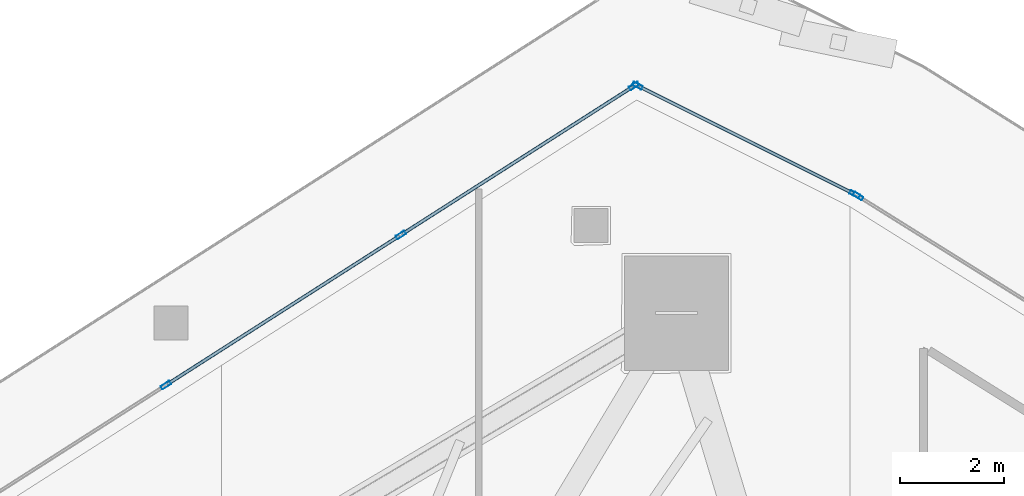
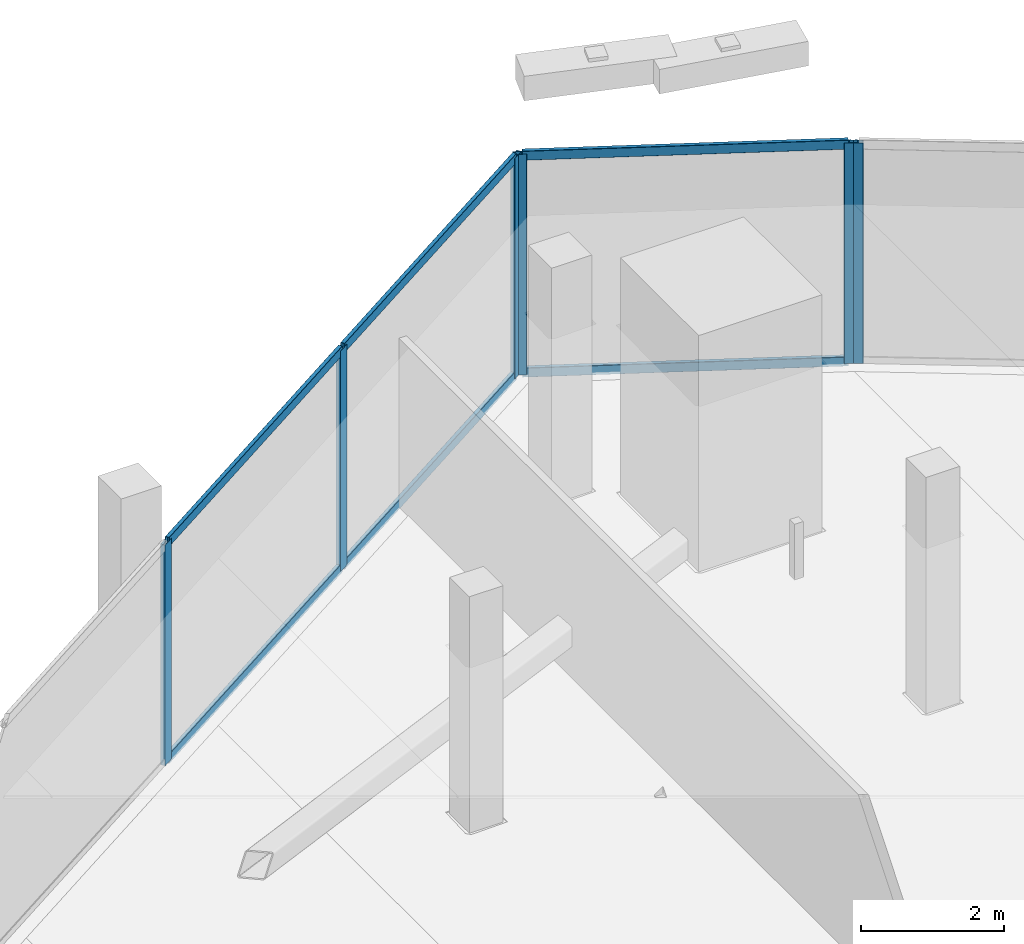
# One storey, part 26 of 43: 12 members, 3 elements without a shape of their own.
"""IFC4 building model written with IfcOpenShell, lengths in metres."""

from ifc_helpers import new_model, si_unit, direction, frame, origin, origin_2d, place, context, subcontext, project, spatial, hollow_rectangle, extrude, material, layer, layer_set, material_profile, profile_set, type_object, element, aggregate, save


model = new_model("IFC4")

# Units and contexts
model_context = context("Model", 3, precision=1e-05, world=origin(), true_north=direction((0.0, 1.0)))
body_context = subcontext(model_context, "Body", "Model", "MODEL_VIEW")
ifc_project = project(units=[si_unit("LENGTHUNIT", "METRE"), si_unit("AREAUNIT", "SQUARE_METRE"), si_unit("VOLUMEUNIT", "CUBIC_METRE"), si_unit("PLANEANGLEUNIT", "RADIAN"), si_unit("MASSUNIT", "GRAM", prefix="KILO")], contexts=[model_context])

# Site, building, storey
site_placement = place(None, origin())
site = spatial("IfcSite", under=ifc_project, at=site_placement, CompositionType="ELEMENT")
building_placement = place(site_placement, origin())
building = spatial("IfcBuilding", under=site, at=building_placement, Name="Qorvath Tower", CompositionType="ELEMENT")
storey_placement = place(building_placement, frame((0.0, 0.0, 150.300048828125)))
storey = spatial("IfcBuildingStorey", under=building, at=storey_placement, Name="L34", CompositionType="ELEMENT", Elevation=150.300048828125)

# Curtain wall, member
ifc_material_1 = material(Name="Anodised aluminium and triple low-E glass", Category="aluminium")
ifc_layer = layer(ifc_material_1, 0.179931640625)
ifc_layer_set = layer_set([ifc_layer], Name="CW-SYS-5")
curtain_wall_type = type_object("IfcCurtainWallType", Name="CW-SYS-5", PredefinedType="NOTDEFINED", material=ifc_layer_set)
curtain_wall_1_placement = place(storey_placement, origin())
curtain_wall_1 = element("IfcCurtainWall", 1, at=curtain_wall_1_placement, inside=storey, type_object=curtain_wall_type, Name="Curtain Wall CW-5 CW-T-L34-14.1", PredefinedType="NOTDEFINED")
ifc_material_2 = material(Name="Anodised aluminium 6063-T6", Category="aluminium")
ifc_material_profile_1 = material_profile(ifc_material_2, hollow_rectangle(XDim=0.074951171875, YDim=0.199951171875, WallThickness=0.00390625, InnerFilletRadius=0.00390625, OuterFilletRadius=0.008056640625, at=origin_2d()), Name="CWM 200x75")
ifc_profile_set_1 = profile_set([ifc_material_profile_1], Name="Anodised aluminium 6063-T6")
member_type_1 = type_object("IfcMemberType", Name="CWM-200", PredefinedType="MULLION", material=ifc_profile_set_1)
member_1_placement = place(storey_placement, frame((-11.86083984375, 27.48974609375, 0.0), z_axis=(0.0, 0.0, 1.0), x_axis=(-0.529393344809, -0.848376500424, 0.0)))
member_1 = element("IfcMember", 2, at=member_1_placement, type_object=member_type_1, Name="CW-5 mullion 3", PredefinedType="MULLION", context=body_context, shape_type="SweptSolid", body=[
    extrude(hollow_rectangle(XDim=0.074951171875, YDim=0.199951171875, WallThickness=0.00390625, InnerFilletRadius=0.00390625, OuterFilletRadius=0.008056640625, at=origin_2d()), origin(), (0.0, 0.0, 1.0), 3.780029296875),
])
aggregate(curtain_wall_1, [member_1])

# Curtain wall, members
curtain_wall_2_placement = place(storey_placement, origin())
curtain_wall_2 = element("IfcCurtainWall", 3, at=curtain_wall_2_placement, inside=storey, type_object=curtain_wall_type, Name="Curtain Wall CW-5 CW-T-L34-15.1", PredefinedType="NOTDEFINED")
member_2_placement = place(storey_placement, frame((-11.926025390625, 27.5263671875, 0.0), z_axis=(0.0, 0.0, 1.0), x_axis=(-0.447230502353, -0.894418737374, 0.0)))
member_2 = element("IfcMember", 4, at=member_2_placement, type_object=member_type_1, Name="CW-5 mullion 1", PredefinedType="MULLION", context=body_context, shape_type="SweptSolid", body=[
    extrude(hollow_rectangle(XDim=0.074951171875, YDim=0.199951171875, WallThickness=0.00390625, InnerFilletRadius=0.00390625, OuterFilletRadius=0.008056640625, at=origin_2d()), origin(), (0.0, 0.0, 1.0), 3.780029296875),
])
member_3_placement = place(storey_placement, frame((-16.09130859375, 29.60888671875, 0.0), z_axis=(0.0, 0.0, 1.0), x_axis=(-0.447230502353, -0.894418737374, 0.0)))
member_3 = element("IfcMember", 5, at=member_3_placement, type_object=member_type_1, Name="CW-5 mullion 2", PredefinedType="MULLION", context=body_context, shape_type="SweptSolid", body=[
    extrude(hollow_rectangle(XDim=0.074951171875, YDim=0.199951171875, WallThickness=0.00390625, InnerFilletRadius=0.00390625, OuterFilletRadius=0.008056640625, at=origin_2d()), origin(), (0.0, 0.0, 1.0), 3.780029296875),
])

curtain_wall_3_placement = place(storey_placement, origin())
curtain_wall_3 = element("IfcCurtainWall", 6, at=curtain_wall_3_placement, inside=storey, type_object=curtain_wall_type, Name="Curtain Wall CW-5 CW-T-L34-16.1", PredefinedType="NOTDEFINED")
member_4_placement = place(storey_placement, frame((-16.156494140625, 29.60546875, 0.0), z_axis=(0.0, 0.0, 1.0), x_axis=(0.538535404822, -0.842602882592, 0.0)))
member_4 = element("IfcMember", 7, at=member_4_placement, type_object=member_type_1, Name="CW-5 mullion 1", PredefinedType="MULLION", context=body_context, shape_type="SweptSolid", body=[
    extrude(hollow_rectangle(XDim=0.074951171875, YDim=0.199951171875, WallThickness=0.00390625, InnerFilletRadius=0.00390625, OuterFilletRadius=0.008056640625, at=origin_2d()), origin(), (0.0, 0.0, 1.0), 3.780029296875),
])
member_5_placement = place(storey_placement, frame((-20.63134765625, 26.745361328125, 0.0), z_axis=(0.0, 0.0, 1.0), x_axis=(0.538535404822, -0.842602882592, 0.0)))
member_5 = element("IfcMember", 8, at=member_5_placement, type_object=member_type_1, Name="CW-5 mullion 2", PredefinedType="MULLION", context=body_context, shape_type="SweptSolid", body=[
    extrude(hollow_rectangle(XDim=0.074951171875, YDim=0.199951171875, WallThickness=0.00390625, InnerFilletRadius=0.00390625, OuterFilletRadius=0.008056640625, at=origin_2d()), origin(), (0.0, 0.0, 1.0), 3.780029296875),
])
member_6_placement = place(storey_placement, frame((-25.137939453125, 23.865234375, 0.0), z_axis=(0.0, 0.0, 1.0), x_axis=(0.538535404822, -0.842602882592, 0.0)))
member_6 = element("IfcMember", 9, at=member_6_placement, type_object=member_type_1, Name="CW-5 mullion 3", PredefinedType="MULLION", context=body_context, shape_type="SweptSolid", body=[
    extrude(hollow_rectangle(XDim=0.074951171875, YDim=0.199951171875, WallThickness=0.00390625, InnerFilletRadius=0.00390625, OuterFilletRadius=0.008056640625, at=origin_2d()), origin(), (0.0, 0.0, 1.0), 3.780029296875),
])

# Member
ifc_material_3 = material(Name="Anodised aluminium 6063-T6", Category="aluminium")
ifc_material_profile_2 = material_profile(ifc_material_3, hollow_rectangle(XDim=0.06494140625, YDim=0.159912109375, WallThickness=0.00341796875, InnerFilletRadius=0.00341796875, OuterFilletRadius=0.007080078125, at=origin_2d()), Name="CWT 160x65")
ifc_profile_set_2 = profile_set([ifc_material_profile_2], Name="Anodised aluminium 6063-T6")
member_type_2 = type_object("IfcMemberType", Name="CWT-160", PredefinedType="USERDEFINED", material=ifc_profile_set_2)
member_7_placement = place(storey_placement, frame((-11.959716796875, 27.54296875, 0.032470703125), z_axis=(-0.894416533415, 0.447234910036, 0.0), x_axis=(-0.447234910036, -0.894416533415, 0.0)))
member_7 = element("IfcMember", 10, at=member_7_placement, type_object=member_type_2, Name="CW-5 transom 1.1", ObjectType="TRANSOM", PredefinedType="USERDEFINED", context=body_context, shape_type="SweptSolid", body=[
    extrude(hollow_rectangle(XDim=0.06494140625, YDim=0.159912109375, WallThickness=0.00341796875, InnerFilletRadius=0.00341796875, OuterFilletRadius=0.007080078125, at=origin_2d()), origin(), (0.0, 0.0, 1.0), 4.58154296875),
])

member_8_placement = place(storey_placement, frame((-11.959716796875, 27.54296875, 3.74755859375), z_axis=(-0.894416533415, 0.447234910036, 0.0), x_axis=(-0.447234910036, -0.894416533415, 0.0)))
member_8 = element("IfcMember", 11, at=member_8_placement, type_object=member_type_2, Name="CW-5 transom 1.2", ObjectType="TRANSOM", PredefinedType="USERDEFINED", context=body_context, shape_type="SweptSolid", body=[
    extrude(hollow_rectangle(XDim=0.06494140625, YDim=0.159912109375, WallThickness=0.00341796875, InnerFilletRadius=0.00341796875, OuterFilletRadius=0.007080078125, at=origin_2d()), origin(), (0.0, 0.0, 1.0), 4.58154296875),
])

aggregate(curtain_wall_2, [member_2, member_3, member_7, member_8])

member_9_placement = place(storey_placement, frame((-16.18798828125, 29.585205078125, 0.032470703125), z_axis=(-0.842619269858, -0.53850976413, 0.0), x_axis=(0.53850976413, -0.842619269858, 0.0)))
member_9 = element("IfcMember", 12, at=member_9_placement, type_object=member_type_2, Name="CW-5 transom 1.1", ObjectType="TRANSOM", PredefinedType="USERDEFINED", context=body_context, shape_type="SweptSolid", body=[
    extrude(hollow_rectangle(XDim=0.06494140625, YDim=0.159912109375, WallThickness=0.00341796875, InnerFilletRadius=0.00341796875, OuterFilletRadius=0.007080078125, at=origin_2d()), origin(), (0.0, 0.0, 1.0), 5.23583984375),
])

member_10_placement = place(storey_placement, frame((-16.18798828125, 29.585205078125, 3.74755859375), z_axis=(-0.842619269858, -0.53850976413, 0.0), x_axis=(0.53850976413, -0.842619269858, 0.0)))
member_10 = element("IfcMember", 13, at=member_10_placement, type_object=member_type_2, Name="CW-5 transom 1.2", ObjectType="TRANSOM", PredefinedType="USERDEFINED", context=body_context, shape_type="SweptSolid", body=[
    extrude(hollow_rectangle(XDim=0.06494140625, YDim=0.159912109375, WallThickness=0.00341796875, InnerFilletRadius=0.00341796875, OuterFilletRadius=0.007080078125, at=origin_2d()), origin(), (0.0, 0.0, 1.0), 5.23583984375),
])

member_11_placement = place(storey_placement, frame((-20.662841796875, 26.72509765625, 0.032470703125), z_axis=(-0.842607560857, -0.538528085049, 0.0), x_axis=(0.538528085049, -0.842607560857, 0.0)))
member_11 = element("IfcMember", 14, at=member_11_placement, type_object=member_type_2, Name="CW-5 transom 2.1", ObjectType="TRANSOM", PredefinedType="USERDEFINED", context=body_context, shape_type="SweptSolid", body=[
    extrude(hollow_rectangle(XDim=0.06494140625, YDim=0.159912109375, WallThickness=0.00341796875, InnerFilletRadius=0.00341796875, OuterFilletRadius=0.007080078125, at=origin_2d()), origin(), (0.0, 0.0, 1.0), 5.2734375),
])

member_12_placement = place(storey_placement, frame((-20.662841796875, 26.72509765625, 3.74755859375), z_axis=(-0.842607560857, -0.538528085049, 0.0), x_axis=(0.538528085049, -0.842607560857, 0.0)))
member_12 = element("IfcMember", 15, at=member_12_placement, type_object=member_type_2, Name="CW-5 transom 2.2", ObjectType="TRANSOM", PredefinedType="USERDEFINED", context=body_context, shape_type="SweptSolid", body=[
    extrude(hollow_rectangle(XDim=0.06494140625, YDim=0.159912109375, WallThickness=0.00341796875, InnerFilletRadius=0.00341796875, OuterFilletRadius=0.007080078125, at=origin_2d()), origin(), (0.0, 0.0, 1.0), 5.2734375),
])

aggregate(curtain_wall_3, [member_4, member_5, member_6, member_9, member_10, member_11, member_12])

save(model, "model.ifc")
